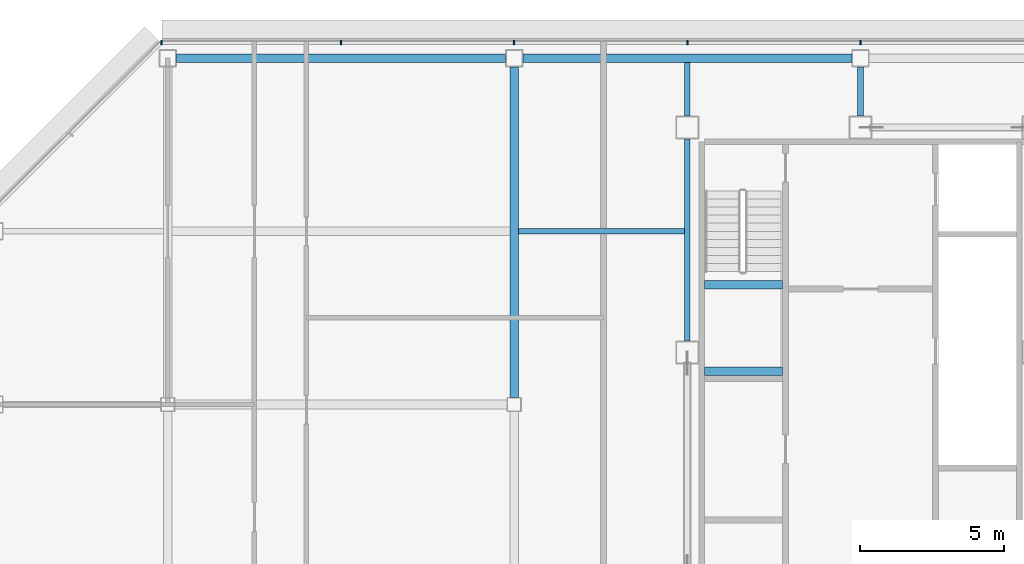
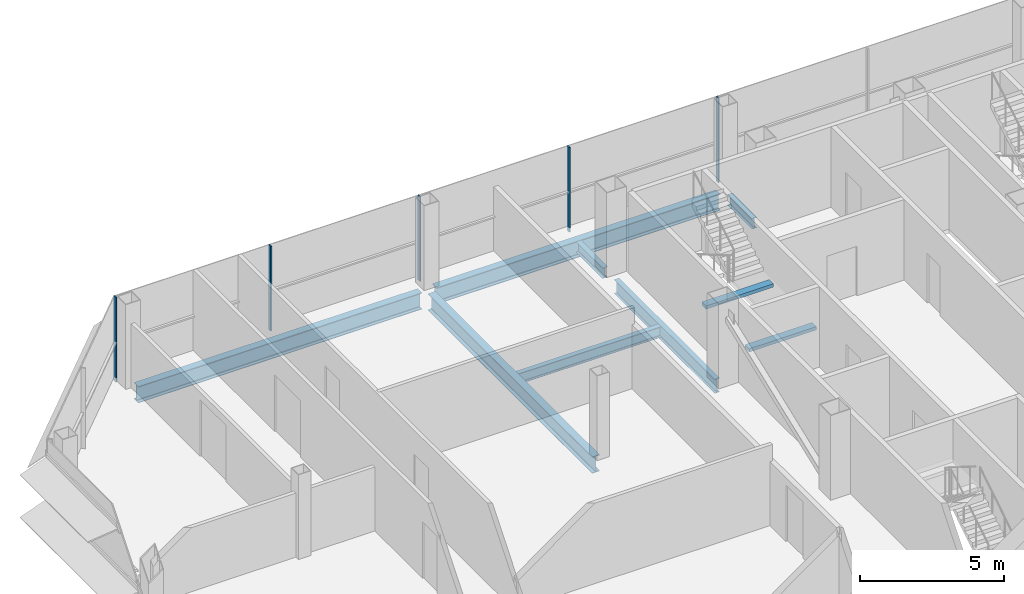
# One storey, part 13 of 27: 9 beams, 5 members, 1 element without a shape of its own.
"""IFC4 building model written with IfcOpenShell, lengths in metres."""

from ifc_helpers import new_model, si_unit, direction, frame, origin, origin_2d, place, context, subcontext, project, spatial, rectangle, i_section, extrude, material, material_profile, profile_set, type_object, element, aggregate, save


model = new_model("IFC4")

# Units and contexts
model_context = context("Model", 3, precision=1e-05, world=origin(), true_north=direction((0.0, 1.0)))
body_context = subcontext(model_context, "Body", "Model", "MODEL_VIEW")
ifc_project = project(units=[si_unit("LENGTHUNIT", "METRE"), si_unit("AREAUNIT", "SQUARE_METRE"), si_unit("VOLUMEUNIT", "CUBIC_METRE"), si_unit("PLANEANGLEUNIT", "RADIAN"), si_unit("MASSUNIT", "GRAM", prefix="KILO")], contexts=[model_context])

# Site, building, storey
site_placement = place(None, origin())
site = spatial("IfcSite", under=ifc_project, at=site_placement, CompositionType="ELEMENT")
building_placement = place(site_placement, origin())
building = spatial("IfcBuilding", under=site, at=building_placement, Name="Sorahane Residences", CompositionType="ELEMENT")
storey_placement = place(building_placement, frame((0.0, 0.0, 298.0)))
storey = spatial("IfcBuildingStorey", under=building, at=storey_placement, Name="L70", CompositionType="ELEMENT", Elevation=298.0)

# Curtain wall, members
ifc_material_1 = material(Name="Dark low-e glass and black anodised aluminium", Category="aluminium")
curtain_wall_type = type_object("IfcCurtainWallType", Name="Curtain wall CW-1 Typical unitised wall", PredefinedType="NOTDEFINED", material=ifc_material_1)
curtain_wall_placement = place(storey_placement, origin())
curtain_wall = element("IfcCurtainWall", 1, at=curtain_wall_placement, inside=storey, type_object=curtain_wall_type, Name="CW-1 curtain wall L70 N1", PredefinedType="NOTDEFINED")
ifc_material_2 = material(Name="Black anodised aluminium", Category="aluminium")
ifc_material_profile_1 = material_profile(ifc_material_2, rectangle(XDim=0.159912109375, YDim=0.050048828125, at=origin_2d()), Name="Curtain wall mullion CW-1 black anodised aluminium 50x160")
ifc_profile_set_1 = profile_set([ifc_material_profile_1], Name="Black anodised aluminium")
member_type = type_object("IfcMemberType", Name="Curtain wall mullion CW-1 black anodised aluminium 50x160", PredefinedType="MULLION", material=ifc_profile_set_1)
member_1_placement = place(storey_placement, frame((12.0, 48.5400390625, -0.179931640625), z_axis=(0.0, 0.0, 1.0), x_axis=(0.0, 1.0, 0.0)))
member_1 = element("IfcMember", 2, at=member_1_placement, type_object=member_type, Name="CW-1 mullion L70 N1.6", PredefinedType="MULLION", context=body_context, shape_type="SweptSolid", body=[
    extrude(rectangle(XDim=0.159912109375, YDim=0.050048828125, at=origin_2d()), origin(), (0.0, 0.0, 1.0), 3.599853515625),
])
member_2_placement = place(storey_placement, frame((6.0, 48.5400390625, -0.179931640625), z_axis=(0.0, 0.0, 1.0), x_axis=(0.0, 1.0, 0.0)))
member_2 = element("IfcMember", 3, at=member_2_placement, type_object=member_type, Name="CW-1 mullion L70 N1.7", PredefinedType="MULLION", context=body_context, shape_type="SweptSolid", body=[
    extrude(rectangle(XDim=0.159912109375, YDim=0.050048828125, at=origin_2d()), origin(), (0.0, 0.0, 1.0), 3.599853515625),
])
member_3_placement = place(storey_placement, frame((0.0, 48.5400390625, -0.179931640625), z_axis=(0.0, 0.0, 1.0), x_axis=(0.0, 1.0, 0.0)))
member_3 = element("IfcMember", 4, at=member_3_placement, type_object=member_type, Name="CW-1 mullion L70 N1.8", PredefinedType="MULLION", context=body_context, shape_type="SweptSolid", body=[
    extrude(rectangle(XDim=0.159912109375, YDim=0.050048828125, at=origin_2d()), origin(), (0.0, 0.0, 1.0), 3.599853515625),
])
member_4_placement = place(storey_placement, frame((-6.0, 48.5400390625, -0.179931640625), z_axis=(0.0, 0.0, 1.0), x_axis=(0.0, 1.0, 0.0)))
member_4 = element("IfcMember", 5, at=member_4_placement, type_object=member_type, Name="CW-1 mullion L70 N1.9", PredefinedType="MULLION", context=body_context, shape_type="SweptSolid", body=[
    extrude(rectangle(XDim=0.159912109375, YDim=0.050048828125, at=origin_2d()), origin(), (0.0, 0.0, 1.0), 3.599853515625),
])
member_5_placement = place(storey_placement, frame((-12.2236328125, 48.5400390625, -0.179931640625), z_axis=(0.0, 0.0, 1.0), x_axis=(0.0, 1.0, 0.0)))
member_5 = element("IfcMember", 6, at=member_5_placement, type_object=member_type, Name="CW-1 mullion L70 N1.10", PredefinedType="MULLION", context=body_context, shape_type="SweptSolid", body=[
    extrude(rectangle(XDim=0.159912109375, YDim=0.050048828125, at=origin_2d()), origin(), (0.0, 0.0, 1.0), 3.599853515625),
])
aggregate(curtain_wall, [member_1, member_2, member_3, member_4, member_5])

# Beams
ifc_material_3 = material(Name="Concrete C40", Category="concrete")
ifc_material_profile_2 = material_profile(ifc_material_3, rectangle(XDim=0.300048828125, YDim=0.139892578125, at=origin_2d()), Name="300x140")
ifc_profile_set_2 = profile_set([ifc_material_profile_2], Name="Concrete C40")
beam_type_1 = type_object("IfcBeamType", Name="RC landing beam 300 x 140 Concrete C40", PredefinedType="BEAM", material=ifc_profile_set_2)
for number, where, z_axis, x_axis, name in (
    (7, (6.60009765625, 37.14990234375, 1.530029296875), (1.0, 0.0, 0.0), (0.0, 1.0, 0.0), "Landing beam"),
    (8, (6.60009765625, 40.14990234375, 1.530029296875), (1.0, 0.0, 0.0), (0.0, 1.0, 0.0), "Landing beam"),
):
    element("IfcBeam", number, at=place(storey_placement, frame(where, z_axis=z_axis, x_axis=x_axis)), inside=storey, type_object=beam_type_1, Name=name, PredefinedType="BEAM", context=body_context, shape_type="SweptSolid", body=[
        extrude(rectangle(XDim=0.300048828125, YDim=0.139892578125, at=origin_2d()), origin(), (0.0, 0.0, 1.0), 2.699951171875),
    ])
ifc_material_4 = material(Name="Steel Q355B", Category="steel")
ifc_material_profile_3 = material_profile(ifc_material_4, i_section(OverallWidth=0.199951171875, OverallDepth=0.449951171875, WebThickness=0.009033203125, FlangeThickness=0.013916015625, FilletRadius=0.02001953125, at=origin_2d()), Name="HN 450x200x9x14")
ifc_profile_set_3 = profile_set([ifc_material_profile_3], Name="Steel Q355B")
beam_type_2 = type_object("IfcBeamType", Name="Steel floor beam HN 450x200x9x14 Q355B", PredefinedType="BEAM", material=ifc_profile_set_3)
beam_1_placement = place(storey_placement, frame((6.0, 46.0, -0.405029296875), z_axis=(0.0, 1.0, 0.0), x_axis=(-1.0, 0.0, 0.0)))
element("IfcBeam", 9, at=beam_1_placement, inside=storey, type_object=beam_type_2, Name="Beam L70 036", PredefinedType="BEAM", context=body_context, shape_type="SweptSolid", body=[
    extrude(i_section(OverallWidth=0.199951171875, OverallDepth=0.449951171875, WebThickness=0.009033203125, FlangeThickness=0.013916015625, FilletRadius=0.02001953125, at=origin_2d()), origin(), (0.0, 0.0, 1.0), 1.85009765625),
])
beam_2_placement = place(storey_placement, frame((12.0, 46.0, -0.405029296875), z_axis=(0.0, 1.0, 0.0), x_axis=(-1.0, 0.0, 0.0)))
element("IfcBeam", 10, at=beam_2_placement, inside=storey, type_object=beam_type_2, Name="Beam L70 038", PredefinedType="BEAM", context=body_context, shape_type="SweptSolid", body=[
    extrude(i_section(OverallWidth=0.199951171875, OverallDepth=0.449951171875, WebThickness=0.009033203125, FlangeThickness=0.013916015625, FilletRadius=0.02001953125, at=origin_2d()), origin(), (0.0, 0.0, 1.0), 1.699951171875),
])
beam_3_placement = place(storey_placement, frame((0.14990234375, 42.0, -0.405029296875), z_axis=(1.0, 0.0, 0.0), x_axis=(0.0, 1.0, 0.0)))
element("IfcBeam", 11, at=beam_3_placement, inside=storey, type_object=beam_type_2, Name="Beam L70 085", PredefinedType="BEAM", context=body_context, shape_type="SweptSolid", body=[
    extrude(i_section(OverallWidth=0.199951171875, OverallDepth=0.449951171875, WebThickness=0.009033203125, FlangeThickness=0.013916015625, FilletRadius=0.02001953125, at=origin_2d()), origin(), (0.0, 0.0, 1.0), 5.75),
])
ifc_material_5 = material(Name="Steel Q355B", Category="steel")
ifc_material_profile_4 = material_profile(ifc_material_5, i_section(OverallWidth=0.199951171875, OverallDepth=0.60009765625, WebThickness=0.010986328125, FlangeThickness=0.01708984375, FilletRadius=0.02392578125, at=origin_2d()), Name="HN 600x200x11x17")
ifc_profile_set_4 = profile_set([ifc_material_profile_4], Name="Steel Q355B")
beam_type_3 = type_object("IfcBeamType", Name="Steel floor beam HN 600x200x11x17 Q355B", PredefinedType="BEAM", material=ifc_profile_set_4)
beam_4_placement = place(storey_placement, frame((6.0, 38.199951171875, -0.47998046875), z_axis=(0.0, 1.0, 0.0), x_axis=(-1.0, 0.0, 0.0)))
element("IfcBeam", 12, at=beam_4_placement, inside=storey, type_object=beam_type_3, Name="Beam L70 035", PredefinedType="BEAM", context=body_context, shape_type="SweptSolid", body=[
    extrude(i_section(OverallWidth=0.199951171875, OverallDepth=0.60009765625, WebThickness=0.010986328125, FlangeThickness=0.01708984375, FilletRadius=0.02392578125, at=origin_2d()), origin(), (0.0, 0.0, 1.0), 7.0),
])
ifc_material_6 = material(Name="Steel Q355B", Category="steel")
ifc_material_profile_5 = material_profile(ifc_material_6, i_section(OverallWidth=0.300048828125, OverallDepth=0.699951171875, WebThickness=0.012939453125, FlangeThickness=0.02392578125, FilletRadius=0.028076171875, at=origin_2d()), Name="HN 700x300x13x24")
ifc_profile_set_5 = profile_set([ifc_material_profile_5], Name="Steel Q355B")
beam_type_4 = type_object("IfcBeamType", Name="Steel floor beam HN 700x300x13x24 Q355B", PredefinedType="BEAM", material=ifc_profile_set_5)
for number, where, z_axis, x_axis, name in (
    (13, (-11.699951171875, 48.0, -0.530029296875), (1.0, 0.0, 0.0), (0.0, 1.0, 0.0), "Beam L70 015"),
    (14, (0.300048828125, 48.0, -0.530029296875), (1.0, 0.0, 0.0), (0.0, 1.0, 0.0), "Beam L70 016"),
):
    element("IfcBeam", number, at=place(storey_placement, frame(where, z_axis=z_axis, x_axis=x_axis)), inside=storey, type_object=beam_type_4, Name=name, PredefinedType="BEAM", context=body_context, shape_type="SweptSolid", body=[
        extrude(i_section(OverallWidth=0.300048828125, OverallDepth=0.699951171875, WebThickness=0.012939453125, FlangeThickness=0.02392578125, FilletRadius=0.028076171875, at=origin_2d()), origin(), (0.0, 0.0, 1.0), 11.39990234375),
    ])
beam_5_placement = place(storey_placement, frame((0.0, 36.25, -0.530029296875), z_axis=(0.0, 1.0, 0.0), x_axis=(-1.0, 0.0, 0.0)))
element("IfcBeam", 15, at=beam_5_placement, inside=storey, type_object=beam_type_4, Name="Beam L70 031", PredefinedType="BEAM", context=body_context, shape_type="SweptSolid", body=[
    extrude(i_section(OverallWidth=0.300048828125, OverallDepth=0.699951171875, WebThickness=0.012939453125, FlangeThickness=0.02392578125, FilletRadius=0.028076171875, at=origin_2d()), origin(), (0.0, 0.0, 1.0), 11.449951171875),
])

save(model, "model.ifc")
